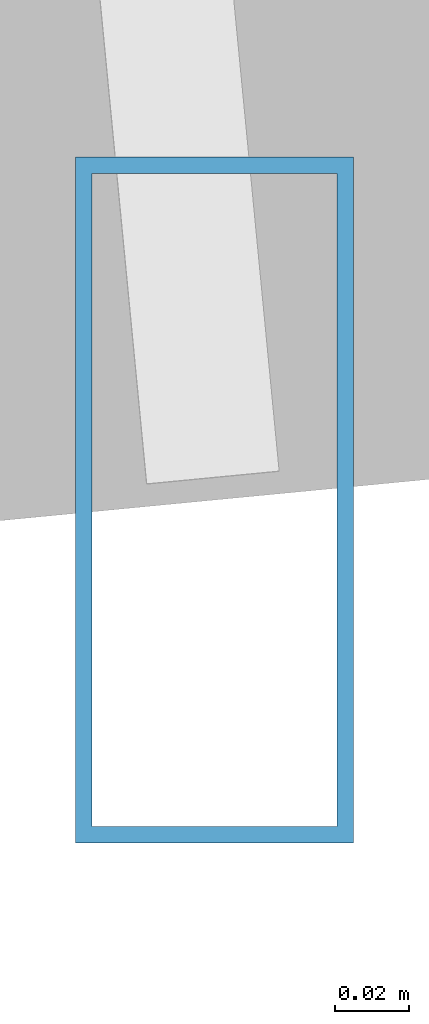
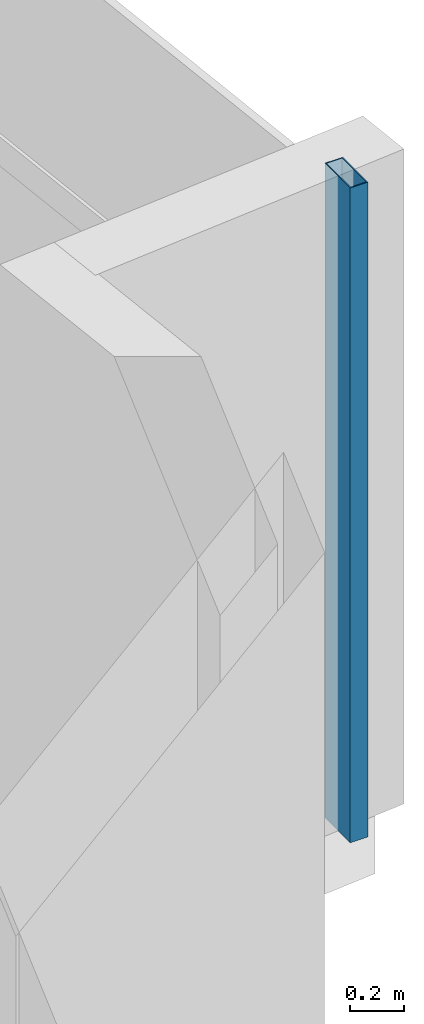
# One storey, part 14 of 27: 1 member, 1 element without a shape of its own.
"""IFC4 building model written with IfcOpenShell, lengths in metres."""

from ifc_helpers import new_model, si_unit, direction, frame, origin, origin_2d, place, context, subcontext, project, spatial, hollow_rectangle, extrude, source, transform, mapped, material, material_profile, profile_set, type_object, type_shapes, element, aggregate, save


model = new_model("IFC4")

# Units and contexts
model_context = context("Model", 3, precision=1e-05, world=origin(), true_north=direction((0.0, 1.0)))
body_context = subcontext(model_context, "Body", "Model", "MODEL_VIEW")
ifc_project = project(units=[si_unit("LENGTHUNIT", "METRE"), si_unit("AREAUNIT", "SQUARE_METRE"), si_unit("VOLUMEUNIT", "CUBIC_METRE"), si_unit("PLANEANGLEUNIT", "RADIAN"), si_unit("MASSUNIT", "GRAM", prefix="KILO")], contexts=[model_context])

# Site, building, storey
site_placement = place(None, origin())
site = spatial("IfcSite", under=ifc_project, at=site_placement, CompositionType="ELEMENT")
building_placement = place(site_placement, origin())
building = spatial("IfcBuilding", under=site, at=building_placement, Name="Astriad Promenade Condominiums", CompositionType="ELEMENT")
storey_placement = place(building_placement, frame((0.0, 0.0, 113.0)))
storey = spatial("IfcBuildingStorey", under=building, at=storey_placement, Name="L32", CompositionType="ELEMENT", Elevation=113.0)

# Curtain wall, member
ifc_material_1 = material(Name="Anodised aluminium Black Dark Glass Unitised", Category="aluminium")
curtain_wall_type = type_object("IfcCurtainWallType", Name="CW-B2-DARK", PredefinedType="USERDEFINED", material=ifc_material_1)
curtain_wall_placement = place(storey_placement, origin())
curtain_wall = element("IfcCurtainWall", 1, at=curtain_wall_placement, inside=storey, type_object=curtain_wall_type, Name="CW-L32-E", ObjectType="UNITISED_CURTAIN_WALL", PredefinedType="USERDEFINED")
ifc_material_2 = material(Name="Anodised aluminium 6063-T6 Black", Category="aluminium")
ifc_material_profile = material_profile(ifc_material_2, hollow_rectangle(XDim=0.074951171875, YDim=0.18505859375, WallThickness=0.00439453125, at=origin_2d()), Name="ALU-MUL-75X185")
ifc_profile_set = profile_set([ifc_material_profile], Name="Anodised aluminium 6063-T6 Black")
member_type = type_object("IfcMemberType", Name="MUL-ALU-MUL-75X185", PredefinedType="MULLION", material=ifc_profile_set)
shared_shape = source(origin(), body_context, "Body", "SweptSolid", [
    extrude(hollow_rectangle(XDim=0.074951171875, YDim=0.18505859375, WallThickness=0.00439453125, at=origin_2d()), origin(), (0.0, 0.0, 1.0), 2.93994140625),
])
type_shapes(member_type, [shared_shape])
member_placement = place(storey_placement, frame((69.4521484375, 11.67822265625, 0.0), z_axis=(0.0, 0.0, 1.0), x_axis=(1.0, 0.0, 0.0)))
member = element("IfcMember", 2, at=member_placement, type_object=member_type, Name="CW-L32-E-MUL-03", PredefinedType="MULLION", context=body_context, shape_type="MappedRepresentation", body=[
    mapped(shared_shape, transform((0.0, 0.0, 0.0), scale=1.0)),
])
aggregate(curtain_wall, [member])

save(model, "model.ifc")
